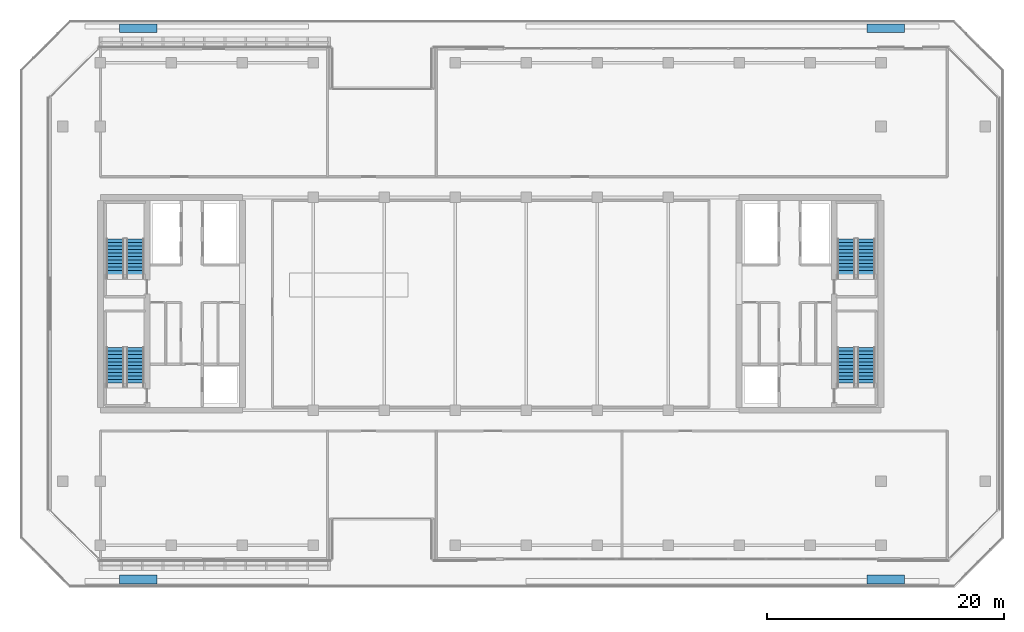
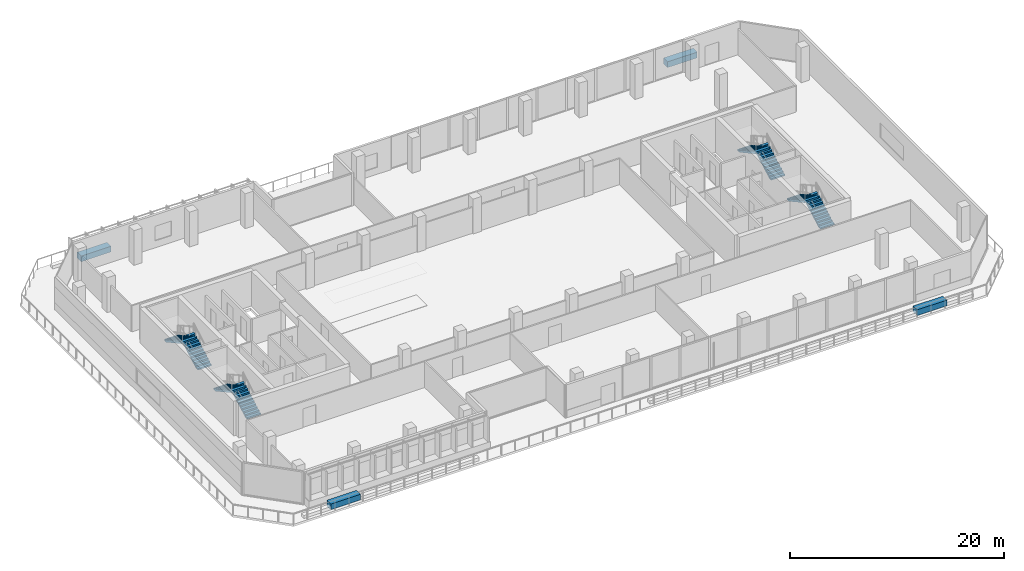
# One storey, part 25 of 30: 8 stair flights, 4 discrete accessories, 4 elements without a shape of their own.
"""IFC4 building model written with IfcOpenShell, lengths in metres."""

from ifc_helpers import new_model, si_unit, direction, frame, origin, origin_2d, place, context, subcontext, project, spatial, polyline, rectangle, outline, extrude, material, type_object, element, aggregate, save


model = new_model("IFC4")

# Units and contexts
model_context = context("Model", 3, precision=1e-05, world=origin(), true_north=direction((0.0, 1.0)))
body_context = subcontext(model_context, "Body", "Model", "MODEL_VIEW")
ifc_project = project(units=[si_unit("LENGTHUNIT", "METRE"), si_unit("AREAUNIT", "SQUARE_METRE"), si_unit("VOLUMEUNIT", "CUBIC_METRE"), si_unit("PLANEANGLEUNIT", "RADIAN"), si_unit("MASSUNIT", "GRAM", prefix="KILO")], contexts=[model_context])

# Site, building, storey
site_placement = place(None, origin())
site = spatial("IfcSite", under=ifc_project, at=site_placement, CompositionType="ELEMENT")
building_placement = place(site_placement, origin())
building = spatial("IfcBuilding", under=site, at=building_placement, Name="Tanjung Sevakor Pilgrim Tower", CompositionType="ELEMENT")
storey_placement = place(building_placement, frame((0.0, 0.0, 128.0400390625)))
storey = spatial("IfcBuildingStorey", under=building, at=storey_placement, Name="L35", CompositionType="ELEMENT", Elevation=128.0400390625)

# Stair, stair flights
ifc_material_1 = material(Name="Concrete C40/50", Category="concrete")
stair_type = type_object("IfcStairType", Name="STAIR-ST-CR150", PredefinedType="HALF_TURN_STAIR", material=ifc_material_1)
stair_1_placement = place(storey_placement, origin())
stair_1 = element("IfcStair", 1, at=stair_1_placement, inside=storey, type_object=stair_type, Name="L35 West Core Exit Stair 1", PredefinedType="HALF_TURN_STAIR")
ifc_material_2 = material(Name="Concrete C40/50", Category="concrete")
stair_flight_type = type_object("IfcStairFlightType", Name="FLIGHT-ST-CR150", PredefinedType="STRAIGHT", material=ifc_material_2)
stair_flight_1_placement = place(storey_placement, frame((26.949951171875, 26.60009765625, 0.0), z_axis=(0.0, 0.0, 1.0), x_axis=(0.0, 1.0, 0.0)))
stair_flight_1 = element("IfcStairFlight", 2, at=stair_flight_1_placement, type_object=stair_flight_type, Name="TS-W1 flight 1", NumberOfRisers=12, NumberOfTreads=11, PredefinedType="STRAIGHT", RiserHeight=0.165, TreadLength=0.3, context=body_context, shape_type="SweptSolid", body=[
    extrude(outline(polyline([(0.0, 0.0), (0.0, 0.1650390625), (0.300048828125, 0.1650390625), (0.300048828125, 0.330078125), (0.60009765625, 0.330078125), (0.60009765625, 0.4951171875), (0.89990234375, 0.4951171875), (0.89990234375, 0.659912109375), (1.199951171875, 0.659912109375), (1.199951171875, 0.824951171875), (1.5, 0.824951171875), (1.5, 0.989990234375), (1.800048828125, 0.989990234375), (1.800048828125, 1.155029296875), (2.10009765625, 1.155029296875), (2.10009765625, 1.320068359375), (2.39990234375, 1.320068359375), (2.39990234375, 1.485107421875), (2.699951171875, 1.485107421875), (2.699951171875, 1.64990234375), (3.0, 1.64990234375), (3.0, 1.81494140625), (3.300048828125, 1.81494140625), (3.300048828125, 1.97998046875), (3.300048828125, 1.632568359375), (0.331787109375, 0.0), (0.0, 0.0)])), frame((0.0, 0.75, 0.0), z_axis=(0.0, -1.0, 0.0), x_axis=(1.0, 0.0, 0.0)), (0.0, 0.0, 1.0), 1.5),
])
stair_flight_2_placement = place(storey_placement, frame((25.25, 29.89990234375, 1.97998046875), z_axis=(0.0, 0.0, 1.0), x_axis=(0.0, -1.0, 0.0)))
stair_flight_2 = element("IfcStairFlight", 3, at=stair_flight_2_placement, type_object=stair_flight_type, Name="TS-W1 flight 2", NumberOfRisers=12, NumberOfTreads=11, PredefinedType="STRAIGHT", RiserHeight=0.165, TreadLength=0.3, context=body_context, shape_type="SweptSolid", body=[
    extrude(outline(polyline([(0.0, 0.0), (0.0, 0.1650390625), (0.300048828125, 0.1650390625), (0.300048828125, 0.330078125), (0.60009765625, 0.330078125), (0.60009765625, 0.4951171875), (0.89990234375, 0.4951171875), (0.89990234375, 0.659912109375), (1.199951171875, 0.659912109375), (1.199951171875, 0.824951171875), (1.5, 0.824951171875), (1.5, 0.989990234375), (1.800048828125, 0.989990234375), (1.800048828125, 1.155029296875), (2.10009765625, 1.155029296875), (2.10009765625, 1.320068359375), (2.39990234375, 1.320068359375), (2.39990234375, 1.485107421875), (2.699951171875, 1.485107421875), (2.699951171875, 1.64990234375), (3.0, 1.64990234375), (3.0, 1.81494140625), (3.300048828125, 1.81494140625), (3.300048828125, 1.97998046875), (3.300048828125, 1.632568359375), (0.331787109375, 0.0), (0.0, 0.0)])), frame((0.0, 0.75, 0.0), z_axis=(0.0, -1.0, 0.0), x_axis=(1.0, 0.0, 0.0)), (0.0, 0.0, 1.0), 1.5),
])
aggregate(stair_1, [stair_flight_1, stair_flight_2])

stair_2_placement = place(storey_placement, origin())
stair_2 = element("IfcStair", 4, at=stair_2_placement, inside=storey, type_object=stair_type, Name="L35 West Core Exit Stair 2", PredefinedType="HALF_TURN_STAIR")
stair_flight_3_placement = place(storey_placement, frame((26.949951171875, 35.800048828125, 0.0), z_axis=(0.0, 0.0, 1.0), x_axis=(0.0, 1.0, 0.0)))
stair_flight_3 = element("IfcStairFlight", 5, at=stair_flight_3_placement, type_object=stair_flight_type, Name="TS-W2 flight 1", NumberOfRisers=12, NumberOfTreads=11, PredefinedType="STRAIGHT", RiserHeight=0.165, TreadLength=0.3, context=body_context, shape_type="SweptSolid", body=[
    extrude(outline(polyline([(0.0, 0.0), (0.0, 0.1650390625), (0.300048828125, 0.1650390625), (0.300048828125, 0.330078125), (0.60009765625, 0.330078125), (0.60009765625, 0.4951171875), (0.89990234375, 0.4951171875), (0.89990234375, 0.659912109375), (1.199951171875, 0.659912109375), (1.199951171875, 0.824951171875), (1.5, 0.824951171875), (1.5, 0.989990234375), (1.800048828125, 0.989990234375), (1.800048828125, 1.155029296875), (2.10009765625, 1.155029296875), (2.10009765625, 1.320068359375), (2.39990234375, 1.320068359375), (2.39990234375, 1.485107421875), (2.699951171875, 1.485107421875), (2.699951171875, 1.64990234375), (3.0, 1.64990234375), (3.0, 1.81494140625), (3.300048828125, 1.81494140625), (3.300048828125, 1.97998046875), (3.300048828125, 1.632568359375), (0.331787109375, 0.0), (0.0, 0.0)])), frame((0.0, 0.75, 0.0), z_axis=(0.0, -1.0, 0.0), x_axis=(1.0, 0.0, 0.0)), (0.0, 0.0, 1.0), 1.5),
])
stair_flight_4_placement = place(storey_placement, frame((25.25, 39.10009765625, 1.97998046875), z_axis=(0.0, 0.0, 1.0), x_axis=(0.0, -1.0, 0.0)))
stair_flight_4 = element("IfcStairFlight", 6, at=stair_flight_4_placement, type_object=stair_flight_type, Name="TS-W2 flight 2", NumberOfRisers=12, NumberOfTreads=11, PredefinedType="STRAIGHT", RiserHeight=0.165, TreadLength=0.3, context=body_context, shape_type="SweptSolid", body=[
    extrude(outline(polyline([(0.0, 0.0), (0.0, 0.1650390625), (0.300048828125, 0.1650390625), (0.300048828125, 0.330078125), (0.60009765625, 0.330078125), (0.60009765625, 0.4951171875), (0.89990234375, 0.4951171875), (0.89990234375, 0.659912109375), (1.199951171875, 0.659912109375), (1.199951171875, 0.824951171875), (1.5, 0.824951171875), (1.5, 0.989990234375), (1.800048828125, 0.989990234375), (1.800048828125, 1.155029296875), (2.10009765625, 1.155029296875), (2.10009765625, 1.320068359375), (2.39990234375, 1.320068359375), (2.39990234375, 1.485107421875), (2.699951171875, 1.485107421875), (2.699951171875, 1.64990234375), (3.0, 1.64990234375), (3.0, 1.81494140625), (3.300048828125, 1.81494140625), (3.300048828125, 1.97998046875), (3.300048828125, 1.632568359375), (0.331787109375, 0.0), (0.0, 0.0)])), frame((0.0, 0.75, 0.0), z_axis=(0.0, -1.0, 0.0), x_axis=(1.0, 0.0, 0.0)), (0.0, 0.0, 1.0), 1.5),
])
aggregate(stair_2, [stair_flight_3, stair_flight_4])

stair_3_placement = place(storey_placement, origin())
stair_3 = element("IfcStair", 7, at=stair_3_placement, inside=storey, type_object=stair_type, Name="L35 East Core Exit Stair 1", PredefinedType="HALF_TURN_STAIR")
stair_flight_5_placement = place(storey_placement, frame((88.75, 26.60009765625, 0.0), z_axis=(0.0, 0.0, 1.0), x_axis=(0.0, 1.0, 0.0)))
stair_flight_5 = element("IfcStairFlight", 8, at=stair_flight_5_placement, type_object=stair_flight_type, Name="TS-E1 flight 1", NumberOfRisers=12, NumberOfTreads=11, PredefinedType="STRAIGHT", RiserHeight=0.165, TreadLength=0.3, context=body_context, shape_type="SweptSolid", body=[
    extrude(outline(polyline([(0.0, 0.0), (0.0, 0.1650390625), (0.300048828125, 0.1650390625), (0.300048828125, 0.330078125), (0.60009765625, 0.330078125), (0.60009765625, 0.4951171875), (0.89990234375, 0.4951171875), (0.89990234375, 0.659912109375), (1.199951171875, 0.659912109375), (1.199951171875, 0.824951171875), (1.5, 0.824951171875), (1.5, 0.989990234375), (1.800048828125, 0.989990234375), (1.800048828125, 1.155029296875), (2.10009765625, 1.155029296875), (2.10009765625, 1.320068359375), (2.39990234375, 1.320068359375), (2.39990234375, 1.485107421875), (2.699951171875, 1.485107421875), (2.699951171875, 1.64990234375), (3.0, 1.64990234375), (3.0, 1.81494140625), (3.300048828125, 1.81494140625), (3.300048828125, 1.97998046875), (3.300048828125, 1.632568359375), (0.331787109375, 0.0), (0.0, 0.0)])), frame((0.0, 0.75, 0.0), z_axis=(0.0, -1.0, 0.0), x_axis=(1.0, 0.0, 0.0)), (0.0, 0.0, 1.0), 1.5),
])
stair_flight_6_placement = place(storey_placement, frame((87.050048828125, 29.89990234375, 1.97998046875), z_axis=(0.0, 0.0, 1.0), x_axis=(0.0, -1.0, 0.0)))
stair_flight_6 = element("IfcStairFlight", 9, at=stair_flight_6_placement, type_object=stair_flight_type, Name="TS-E1 flight 2", NumberOfRisers=12, NumberOfTreads=11, PredefinedType="STRAIGHT", RiserHeight=0.165, TreadLength=0.3, context=body_context, shape_type="SweptSolid", body=[
    extrude(outline(polyline([(0.0, 0.0), (0.0, 0.1650390625), (0.300048828125, 0.1650390625), (0.300048828125, 0.330078125), (0.60009765625, 0.330078125), (0.60009765625, 0.4951171875), (0.89990234375, 0.4951171875), (0.89990234375, 0.659912109375), (1.199951171875, 0.659912109375), (1.199951171875, 0.824951171875), (1.5, 0.824951171875), (1.5, 0.989990234375), (1.800048828125, 0.989990234375), (1.800048828125, 1.155029296875), (2.10009765625, 1.155029296875), (2.10009765625, 1.320068359375), (2.39990234375, 1.320068359375), (2.39990234375, 1.485107421875), (2.699951171875, 1.485107421875), (2.699951171875, 1.64990234375), (3.0, 1.64990234375), (3.0, 1.81494140625), (3.300048828125, 1.81494140625), (3.300048828125, 1.97998046875), (3.300048828125, 1.632568359375), (0.331787109375, 0.0), (0.0, 0.0)])), frame((0.0, 0.75, 0.0), z_axis=(0.0, -1.0, 0.0), x_axis=(1.0, 0.0, 0.0)), (0.0, 0.0, 1.0), 1.5),
])
aggregate(stair_3, [stair_flight_5, stair_flight_6])

stair_4_placement = place(storey_placement, origin())
stair_4 = element("IfcStair", 10, at=stair_4_placement, inside=storey, type_object=stair_type, Name="L35 East Core Exit Stair 2", PredefinedType="HALF_TURN_STAIR")
stair_flight_7_placement = place(storey_placement, frame((88.75, 35.800048828125, 0.0), z_axis=(0.0, 0.0, 1.0), x_axis=(0.0, 1.0, 0.0)))
stair_flight_7 = element("IfcStairFlight", 11, at=stair_flight_7_placement, type_object=stair_flight_type, Name="TS-E2 flight 1", NumberOfRisers=12, NumberOfTreads=11, PredefinedType="STRAIGHT", RiserHeight=0.165, TreadLength=0.3, context=body_context, shape_type="SweptSolid", body=[
    extrude(outline(polyline([(0.0, 0.0), (0.0, 0.1650390625), (0.300048828125, 0.1650390625), (0.300048828125, 0.330078125), (0.60009765625, 0.330078125), (0.60009765625, 0.4951171875), (0.89990234375, 0.4951171875), (0.89990234375, 0.659912109375), (1.199951171875, 0.659912109375), (1.199951171875, 0.824951171875), (1.5, 0.824951171875), (1.5, 0.989990234375), (1.800048828125, 0.989990234375), (1.800048828125, 1.155029296875), (2.10009765625, 1.155029296875), (2.10009765625, 1.320068359375), (2.39990234375, 1.320068359375), (2.39990234375, 1.485107421875), (2.699951171875, 1.485107421875), (2.699951171875, 1.64990234375), (3.0, 1.64990234375), (3.0, 1.81494140625), (3.300048828125, 1.81494140625), (3.300048828125, 1.97998046875), (3.300048828125, 1.632568359375), (0.331787109375, 0.0), (0.0, 0.0)])), frame((0.0, 0.75, 0.0), z_axis=(0.0, -1.0, 0.0), x_axis=(1.0, 0.0, 0.0)), (0.0, 0.0, 1.0), 1.5),
])
stair_flight_8_placement = place(storey_placement, frame((87.050048828125, 39.10009765625, 1.97998046875), z_axis=(0.0, 0.0, 1.0), x_axis=(0.0, -1.0, 0.0)))
stair_flight_8 = element("IfcStairFlight", 12, at=stair_flight_8_placement, type_object=stair_flight_type, Name="TS-E2 flight 2", NumberOfRisers=12, NumberOfTreads=11, PredefinedType="STRAIGHT", RiserHeight=0.165, TreadLength=0.3, context=body_context, shape_type="SweptSolid", body=[
    extrude(outline(polyline([(0.0, 0.0), (0.0, 0.1650390625), (0.300048828125, 0.1650390625), (0.300048828125, 0.330078125), (0.60009765625, 0.330078125), (0.60009765625, 0.4951171875), (0.89990234375, 0.4951171875), (0.89990234375, 0.659912109375), (1.199951171875, 0.659912109375), (1.199951171875, 0.824951171875), (1.5, 0.824951171875), (1.5, 0.989990234375), (1.800048828125, 0.989990234375), (1.800048828125, 1.155029296875), (2.10009765625, 1.155029296875), (2.10009765625, 1.320068359375), (2.39990234375, 1.320068359375), (2.39990234375, 1.485107421875), (2.699951171875, 1.485107421875), (2.699951171875, 1.64990234375), (3.0, 1.64990234375), (3.0, 1.81494140625), (3.300048828125, 1.81494140625), (3.300048828125, 1.97998046875), (3.300048828125, 1.632568359375), (0.331787109375, 0.0), (0.0, 0.0)])), frame((0.0, 0.75, 0.0), z_axis=(0.0, -1.0, 0.0), x_axis=(1.0, 0.0, 0.0)), (0.0, 0.0, 1.0), 1.5),
])
aggregate(stair_4, [stair_flight_7, stair_flight_8])

# Discrete accessories
ifc_material_3 = material(Name="Reconstructed Limestone Precast C45/55", Category="masonry")
discrete_accessory_type = type_object("IfcDiscreteAccessoryType", Name="ACC-PLANTER-STN1", PredefinedType="USERDEFINED", material=ifc_material_3)
for number, where, z_axis, x_axis, name in (
    (13, (27.199951171875, 10.300048828125, 0.0), (0.0, 0.0, 1.0), (1.0, 0.0, 0.0), "L35 Sky Terrace Stone Planter 027"),
    (14, (27.199951171875, 56.89990234375, 0.0), (0.0, 0.0, 1.0), (1.0, 0.0, 0.0), "L35 Sky Terrace Stone Planter 028"),
    (15, (90.39990234375, 10.300048828125, 0.0), (0.0, 0.0, 1.0), (1.0, 0.0, 0.0), "L35 Sky Terrace Stone Planter 029"),
    (16, (90.39990234375, 56.89990234375, 0.0), (0.0, 0.0, 1.0), (1.0, 0.0, 0.0), "L35 Sky Terrace Stone Planter 030"),
):
    element("IfcDiscreteAccessory", number, at=place(storey_placement, frame(where, z_axis=z_axis, x_axis=x_axis)), inside=storey, type_object=discrete_accessory_type, Name=name, ObjectType="PLANTER", PredefinedType="USERDEFINED", context=body_context, shape_type="SweptSolid", body=[
        extrude(rectangle(XDim=3.199951171875, YDim=0.75, at=origin_2d()), origin(), (0.0, 0.0, 1.0), 0.64990234375),
    ])

save(model, "model.ifc")
